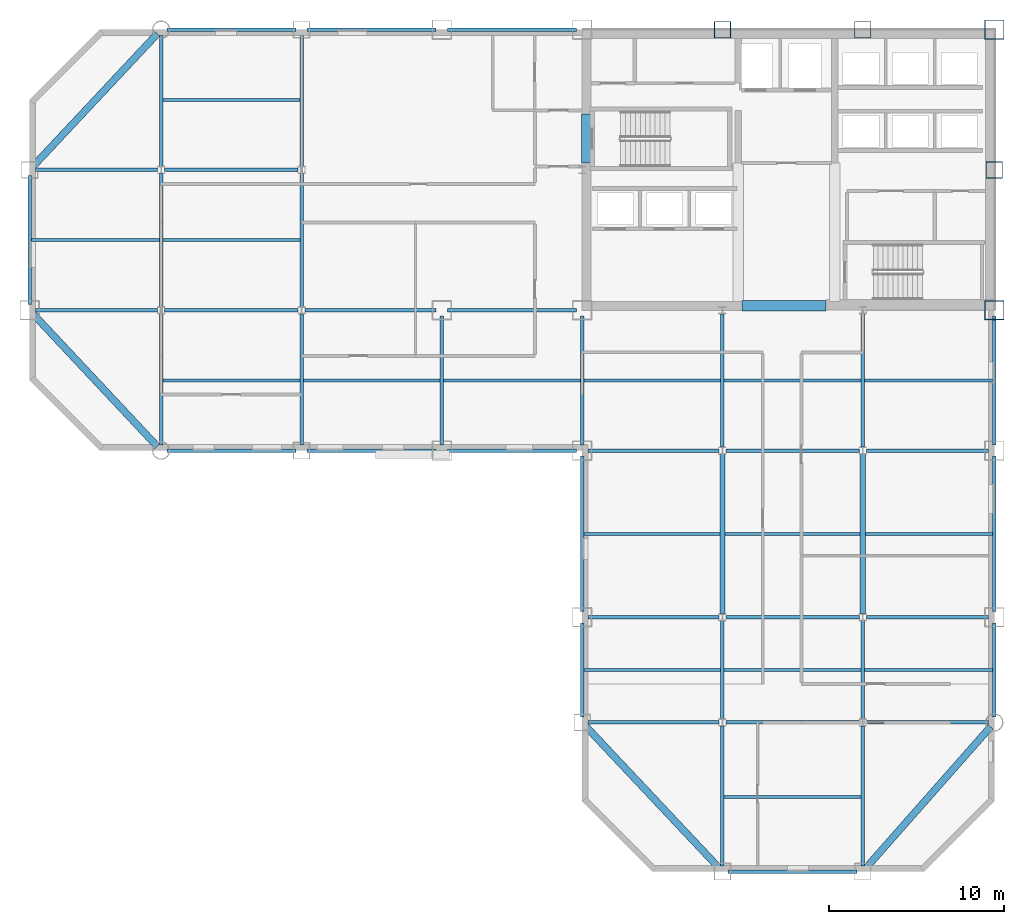
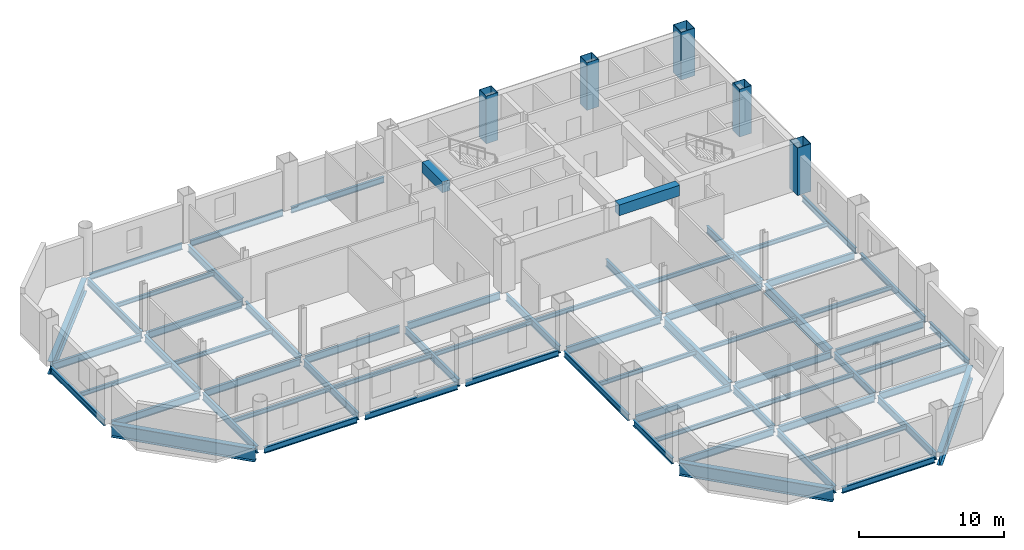
# One storey, part 4 of 9: 66 beams, 5 columns.
"""IFC4 building model written with IfcOpenShell, lengths in metres."""

from ifc_helpers import new_model, si_unit, direction, frame, origin, origin_2d, place, context, subcontext, project, spatial, rectangle, hollow_rectangle, i_section, extrude, material, material_profile, profile_set, type_object, element, save


model = new_model("IFC4")

# Units and contexts
model_context = context("Model", 3, precision=1e-05, world=origin(), true_north=direction((0.0, 1.0)))
body_context = subcontext(model_context, "Body", "Model", "MODEL_VIEW")
ifc_project = project(units=[si_unit("LENGTHUNIT", "METRE"), si_unit("AREAUNIT", "SQUARE_METRE"), si_unit("VOLUMEUNIT", "CUBIC_METRE"), si_unit("PLANEANGLEUNIT", "RADIAN"), si_unit("MASSUNIT", "GRAM", prefix="KILO")], contexts=[model_context])

# Site, building, storey
site_placement = place(None, origin())
site = spatial("IfcSite", under=ifc_project, at=site_placement, CompositionType="ELEMENT")
building_placement = place(site_placement, origin())
building = spatial("IfcBuilding", under=site, at=building_placement, Name="Qianrong Seaharbour Tower", CompositionType="ELEMENT")
storey_placement = place(building_placement, frame((0.0, 0.0, 147.0)))
storey = spatial("IfcBuildingStorey", under=building, at=storey_placement, Name="L35", CompositionType="ELEMENT", Elevation=147.0)

# Columns
ifc_material_1 = material(Name="Structural steel SN490B", Category="steel")
ifc_material_profile_1 = material_profile(ifc_material_1, hollow_rectangle(XDim=1.10009765625, YDim=1.10009765625, WallThickness=0.0400390625, at=origin_2d()), Name="BOX1100x1100x40")
ifc_profile_set_1 = profile_set([ifc_material_profile_1], Name="Structural steel SN490B")
column_type_1 = type_object("IfcColumnType", Name="COL-CFT-1100", PredefinedType="COLUMN", material=ifc_profile_set_1)
for number, where, z_axis, x_axis, name in (
    (1, (64.0, 36.0, 0.0), (0.0, 0.0, 1.0), (1.0, 0.0, 0.0), "L35 Column MC-3 at G9/GF"),
    (2, (64.0, 52.0, 0.0), (0.0, 0.0, 1.0), (1.0, 0.0, 0.0), "L35 Column MC-3 at G9/GH"),
):
    element("IfcColumn", number, at=place(storey_placement, frame(where, z_axis=z_axis, x_axis=x_axis)), inside=storey, type_object=column_type_1, Name=name, PredefinedType="COLUMN", context=body_context, shape_type="SweptSolid", body=[
        extrude(hollow_rectangle(XDim=1.10009765625, YDim=1.10009765625, WallThickness=0.0400390625, at=origin_2d()), origin(), (0.0, 0.0, 1.0), 4.0),
    ])
ifc_material_profile_2 = material_profile(ifc_material_1, hollow_rectangle(XDim=0.949951171875, YDim=0.949951171875, WallThickness=0.035888671875, at=origin_2d()), Name="BOX950x950x36")
ifc_profile_set_2 = profile_set([ifc_material_profile_2], Name="Structural steel SN490B")
column_type_2 = type_object("IfcColumnType", Name="COL-PER-950", PredefinedType="COLUMN", material=ifc_profile_set_2)
for number, where, z_axis, x_axis, name in (
    (3, (48.5, 52.0, 0.0), (0.0, 0.0, 1.0), (1.0, 0.0, 0.0), "L35 Column PC-2 at G7/GH"),
    (4, (56.5, 52.0, 0.0), (0.0, 0.0, 1.0), (1.0, 0.0, 0.0), "L35 Column PC-2 at G8/GH"),
    (5, (64.0, 44.0, 0.0), (0.0, 0.0, 1.0), (1.0, 0.0, 0.0), "L35 Column PC-2 at G9/GG"),
):
    element("IfcColumn", number, at=place(storey_placement, frame(where, z_axis=z_axis, x_axis=x_axis)), inside=storey, type_object=column_type_2, Name=name, PredefinedType="COLUMN", context=body_context, shape_type="SweptSolid", body=[
        extrude(hollow_rectangle(XDim=0.949951171875, YDim=0.949951171875, WallThickness=0.035888671875, at=origin_2d()), origin(), (0.0, 0.0, 1.0), 4.0),
    ])

# Beams
ifc_material_profile_3 = material_profile(ifc_material_1, i_section(OverallWidth=0.199951171875, OverallDepth=0.60009765625, WebThickness=0.010986328125, FlangeThickness=0.01708984375, FilletRadius=0.02197265625, at=origin_2d()), Name="H600x200x11x17")
ifc_profile_set_3 = profile_set([ifc_material_profile_3], Name="Structural steel SN490B")
beam_type_1 = type_object("IfcBeamType", Name="BM-G-600", PredefinedType="BEAM", material=ifc_profile_set_3)
beam_1_placement = place(storey_placement, frame((40.820068359375, 12.5, -0.534912109375), z_axis=(1.0, 0.0, 0.0), x_axis=(0.0, 1.0, 0.0)))
element("IfcBeam", 6, at=beam_1_placement, inside=storey, type_object=beam_type_1, Name="L35 Primary Girder GC G6-G7", PredefinedType="BEAM", context=body_context, shape_type="SweptSolid", body=[
    extrude(i_section(OverallWidth=0.199951171875, OverallDepth=0.60009765625, WebThickness=0.010986328125, FlangeThickness=0.01708984375, FilletRadius=0.02197265625, at=origin_2d()), origin(), (0.0, 0.0, 1.0), 7.47998046875),
])
beam_2_placement = place(storey_placement, frame((48.699951171875, 12.5, -0.534912109375), z_axis=(1.0, 0.0, 0.0), x_axis=(0.0, 1.0, 0.0)))
element("IfcBeam", 7, at=beam_2_placement, inside=storey, type_object=beam_type_1, Name="L35 Primary Girder GC G7-G8", PredefinedType="BEAM", context=body_context, shape_type="SweptSolid", body=[
    extrude(i_section(OverallWidth=0.199951171875, OverallDepth=0.60009765625, WebThickness=0.010986328125, FlangeThickness=0.01708984375, FilletRadius=0.02197265625, at=origin_2d()), origin(), (0.0, 0.0, 1.0), 7.60009765625),
])
beam_3_placement = place(storey_placement, frame((56.699951171875, 12.5, -0.534912109375), z_axis=(1.0, 0.0, 0.0), x_axis=(0.0, 1.0, 0.0)))
element("IfcBeam", 8, at=beam_3_placement, inside=storey, type_object=beam_type_1, Name="L35 Primary Girder GC G8-G9", PredefinedType="BEAM", context=body_context, shape_type="SweptSolid", body=[
    extrude(i_section(OverallWidth=0.199951171875, OverallDepth=0.60009765625, WebThickness=0.010986328125, FlangeThickness=0.01708984375, FilletRadius=0.02197265625, at=origin_2d()), origin(), (0.0, 0.0, 1.0), 6.97998046875),
])
beam_4_placement = place(storey_placement, frame((40.820068359375, 18.5, -0.534912109375), z_axis=(1.0, 0.0, 0.0), x_axis=(0.0, 1.0, 0.0)))
element("IfcBeam", 9, at=beam_4_placement, inside=storey, type_object=beam_type_1, Name="L35 Primary Girder GD G6-G7", PredefinedType="BEAM", context=body_context, shape_type="SweptSolid", body=[
    extrude(i_section(OverallWidth=0.199951171875, OverallDepth=0.60009765625, WebThickness=0.010986328125, FlangeThickness=0.01708984375, FilletRadius=0.02197265625, at=origin_2d()), origin(), (0.0, 0.0, 1.0), 7.47998046875),
])
beam_5_placement = place(storey_placement, frame((48.699951171875, 18.5, -0.534912109375), z_axis=(1.0, 0.0, 0.0), x_axis=(0.0, 1.0, 0.0)))
element("IfcBeam", 10, at=beam_5_placement, inside=storey, type_object=beam_type_1, Name="L35 Primary Girder GD G7-G8", PredefinedType="BEAM", context=body_context, shape_type="SweptSolid", body=[
    extrude(i_section(OverallWidth=0.199951171875, OverallDepth=0.60009765625, WebThickness=0.010986328125, FlangeThickness=0.01708984375, FilletRadius=0.02197265625, at=origin_2d()), origin(), (0.0, 0.0, 1.0), 7.60009765625),
])
beam_6_placement = place(storey_placement, frame((56.699951171875, 18.5, -0.534912109375), z_axis=(1.0, 0.0, 0.0), x_axis=(0.0, 1.0, 0.0)))
element("IfcBeam", 11, at=beam_6_placement, inside=storey, type_object=beam_type_1, Name="L35 Primary Girder GD G8-G9", PredefinedType="BEAM", context=body_context, shape_type="SweptSolid", body=[
    extrude(i_section(OverallWidth=0.199951171875, OverallDepth=0.60009765625, WebThickness=0.010986328125, FlangeThickness=0.01708984375, FilletRadius=0.02197265625, at=origin_2d()), origin(), (0.0, 0.0, 1.0), 6.97998046875),
])
beam_7_placement = place(storey_placement, frame((40.820068359375, 28.0, -0.534912109375), z_axis=(1.0, 0.0, 0.0), x_axis=(0.0, 1.0, 0.0)))
element("IfcBeam", 12, at=beam_7_placement, inside=storey, type_object=beam_type_1, Name="L35 Primary Girder GE G6-G7", PredefinedType="BEAM", context=body_context, shape_type="SweptSolid", body=[
    extrude(i_section(OverallWidth=0.199951171875, OverallDepth=0.60009765625, WebThickness=0.010986328125, FlangeThickness=0.01708984375, FilletRadius=0.02197265625, at=origin_2d()), origin(), (0.0, 0.0, 1.0), 7.47998046875),
])
beam_8_placement = place(storey_placement, frame((48.699951171875, 28.0, -0.534912109375), z_axis=(1.0, 0.0, 0.0), x_axis=(0.0, 1.0, 0.0)))
element("IfcBeam", 13, at=beam_8_placement, inside=storey, type_object=beam_type_1, Name="L35 Primary Girder GE G7-G8", PredefinedType="BEAM", context=body_context, shape_type="SweptSolid", body=[
    extrude(i_section(OverallWidth=0.199951171875, OverallDepth=0.60009765625, WebThickness=0.010986328125, FlangeThickness=0.01708984375, FilletRadius=0.02197265625, at=origin_2d()), origin(), (0.0, 0.0, 1.0), 7.60009765625),
])
for number, where, z_axis, x_axis, name in (
    (14, (56.699951171875, 28.0, -0.534912109375), (1.0, 0.0, 0.0), (0.0, 1.0, 0.0), "L35 Primary Girder GE G8-G9"),
    (15, (9.320068359375, 36.0, -0.534912109375), (1.0, 0.0, 0.0), (0.0, 1.0, 0.0), "L35 Primary Girder GF G2-G3"),
):
    element("IfcBeam", number, at=place(storey_placement, frame(where, z_axis=z_axis, x_axis=x_axis)), inside=storey, type_object=beam_type_1, Name=name, PredefinedType="BEAM", context=body_context, shape_type="SweptSolid", body=[
        extrude(i_section(OverallWidth=0.199951171875, OverallDepth=0.60009765625, WebThickness=0.010986328125, FlangeThickness=0.01708984375, FilletRadius=0.02197265625, at=origin_2d()), origin(), (0.0, 0.0, 1.0), 6.97998046875),
    ])
beam_9_placement = place(storey_placement, frame((16.699951171875, 36.0, -0.534912109375), z_axis=(1.0, 0.0, 0.0), x_axis=(0.0, 1.0, 0.0)))
element("IfcBeam", 16, at=beam_9_placement, inside=storey, type_object=beam_type_1, Name="L35 Primary Girder GF G3-G4", PredefinedType="BEAM", context=body_context, shape_type="SweptSolid", body=[
    extrude(i_section(OverallWidth=0.199951171875, OverallDepth=0.60009765625, WebThickness=0.010986328125, FlangeThickness=0.01708984375, FilletRadius=0.02197265625, at=origin_2d()), origin(), (0.0, 0.0, 1.0), 7.60009765625),
])
beam_10_placement = place(storey_placement, frame((24.699951171875, 36.0, -0.534912109375), z_axis=(1.0, 0.0, 0.0), x_axis=(0.0, 1.0, 0.0)))
element("IfcBeam", 17, at=beam_10_placement, inside=storey, type_object=beam_type_1, Name="L35 Primary Girder GF G4-G5", PredefinedType="BEAM", context=body_context, shape_type="SweptSolid", body=[
    extrude(i_section(OverallWidth=0.199951171875, OverallDepth=0.60009765625, WebThickness=0.010986328125, FlangeThickness=0.01708984375, FilletRadius=0.02197265625, at=origin_2d()), origin(), (0.0, 0.0, 1.0), 7.47998046875),
])
beam_11_placement = place(storey_placement, frame((32.820068359375, 36.0, -0.534912109375), z_axis=(1.0, 0.0, 0.0), x_axis=(0.0, 1.0, 0.0)))
element("IfcBeam", 18, at=beam_11_placement, inside=storey, type_object=beam_type_1, Name="L35 Primary Girder GF G5-G6", PredefinedType="BEAM", context=body_context, shape_type="SweptSolid", body=[
    extrude(i_section(OverallWidth=0.199951171875, OverallDepth=0.60009765625, WebThickness=0.010986328125, FlangeThickness=0.01708984375, FilletRadius=0.02197265625, at=origin_2d()), origin(), (0.0, 0.0, 1.0), 7.35986328125),
])
beam_12_placement = place(storey_placement, frame((9.320068359375, 44.0, -0.534912109375), z_axis=(1.0, 0.0, 0.0), x_axis=(0.0, 1.0, 0.0)))
element("IfcBeam", 19, at=beam_12_placement, inside=storey, type_object=beam_type_1, Name="L35 Primary Girder GG G2-G3", PredefinedType="BEAM", context=body_context, shape_type="SweptSolid", body=[
    extrude(i_section(OverallWidth=0.199951171875, OverallDepth=0.60009765625, WebThickness=0.010986328125, FlangeThickness=0.01708984375, FilletRadius=0.02197265625, at=origin_2d()), origin(), (0.0, 0.0, 1.0), 6.97998046875),
])
beam_13_placement = place(storey_placement, frame((16.699951171875, 44.0, -0.534912109375), z_axis=(1.0, 0.0, 0.0), x_axis=(0.0, 1.0, 0.0)))
element("IfcBeam", 20, at=beam_13_placement, inside=storey, type_object=beam_type_1, Name="L35 Primary Girder GG G3-G4", PredefinedType="BEAM", context=body_context, shape_type="SweptSolid", body=[
    extrude(i_section(OverallWidth=0.199951171875, OverallDepth=0.60009765625, WebThickness=0.010986328125, FlangeThickness=0.01708984375, FilletRadius=0.02197265625, at=origin_2d()), origin(), (0.0, 0.0, 1.0), 7.60009765625),
])
beam_14_placement = place(storey_placement, frame((16.5, 28.320068359375, -0.534912109375), z_axis=(0.0, 1.0, 0.0), x_axis=(-1.0, 0.0, 0.0)))
element("IfcBeam", 21, at=beam_14_placement, inside=storey, type_object=beam_type_1, Name="L35 Primary Girder G3 GE-GF", PredefinedType="BEAM", context=body_context, shape_type="SweptSolid", body=[
    extrude(i_section(OverallWidth=0.199951171875, OverallDepth=0.60009765625, WebThickness=0.010986328125, FlangeThickness=0.01708984375, FilletRadius=0.02197265625, at=origin_2d()), origin(), (0.0, 0.0, 1.0), 7.47998046875),
])
beam_15_placement = place(storey_placement, frame((16.5, 36.199951171875, -0.534912109375), z_axis=(0.0, 1.0, 0.0), x_axis=(-1.0, 0.0, 0.0)))
element("IfcBeam", 22, at=beam_15_placement, inside=storey, type_object=beam_type_1, Name="L35 Primary Girder G3 GF-GG", PredefinedType="BEAM", context=body_context, shape_type="SweptSolid", body=[
    extrude(i_section(OverallWidth=0.199951171875, OverallDepth=0.60009765625, WebThickness=0.010986328125, FlangeThickness=0.01708984375, FilletRadius=0.02197265625, at=origin_2d()), origin(), (0.0, 0.0, 1.0), 7.60009765625),
])
for number, where, z_axis, x_axis, name in (
    (23, (16.5, 44.199951171875, -0.534912109375), (0.0, 1.0, 0.0), (-1.0, 0.0, 0.0), "L35 Primary Girder G3 GG-GH"),
    (24, (24.5, 28.320068359375, -0.534912109375), (0.0, 1.0, 0.0), (-1.0, 0.0, 0.0), "L35 Primary Girder G4 GE-GF"),
):
    element("IfcBeam", number, at=place(storey_placement, frame(where, z_axis=z_axis, x_axis=x_axis)), inside=storey, type_object=beam_type_1, Name=name, PredefinedType="BEAM", context=body_context, shape_type="SweptSolid", body=[
        extrude(i_section(OverallWidth=0.199951171875, OverallDepth=0.60009765625, WebThickness=0.010986328125, FlangeThickness=0.01708984375, FilletRadius=0.02197265625, at=origin_2d()), origin(), (0.0, 0.0, 1.0), 7.47998046875),
    ])
beam_16_placement = place(storey_placement, frame((24.5, 36.199951171875, -0.534912109375), z_axis=(0.0, 1.0, 0.0), x_axis=(-1.0, 0.0, 0.0)))
element("IfcBeam", 25, at=beam_16_placement, inside=storey, type_object=beam_type_1, Name="L35 Primary Girder G4 GF-GG", PredefinedType="BEAM", context=body_context, shape_type="SweptSolid", body=[
    extrude(i_section(OverallWidth=0.199951171875, OverallDepth=0.60009765625, WebThickness=0.010986328125, FlangeThickness=0.01708984375, FilletRadius=0.02197265625, at=origin_2d()), origin(), (0.0, 0.0, 1.0), 7.60009765625),
])
beam_17_placement = place(storey_placement, frame((24.5, 44.199951171875, -0.534912109375), z_axis=(0.0, 1.0, 0.0), x_axis=(-1.0, 0.0, 0.0)))
element("IfcBeam", 26, at=beam_17_placement, inside=storey, type_object=beam_type_1, Name="L35 Primary Girder G4 GG-GH", PredefinedType="BEAM", context=body_context, shape_type="SweptSolid", body=[
    extrude(i_section(OverallWidth=0.199951171875, OverallDepth=0.60009765625, WebThickness=0.010986328125, FlangeThickness=0.01708984375, FilletRadius=0.02197265625, at=origin_2d()), origin(), (0.0, 0.0, 1.0), 7.47998046875),
])
for number, where, z_axis, x_axis, name in (
    (27, (32.5, 28.320068359375, -0.534912109375), (0.0, 1.0, 0.0), (-1.0, 0.0, 0.0), "L35 Primary Girder G5 GE-GF"),
    (28, (40.5, 28.320068359375, -0.534912109375), (0.0, 1.0, 0.0), (-1.0, 0.0, 0.0), "L35 Primary Girder G6 GE-GF"),
):
    element("IfcBeam", number, at=place(storey_placement, frame(where, z_axis=z_axis, x_axis=x_axis)), inside=storey, type_object=beam_type_1, Name=name, PredefinedType="BEAM", context=body_context, shape_type="SweptSolid", body=[
        extrude(i_section(OverallWidth=0.199951171875, OverallDepth=0.60009765625, WebThickness=0.010986328125, FlangeThickness=0.01708984375, FilletRadius=0.02197265625, at=origin_2d()), origin(), (0.0, 0.0, 1.0), 7.35986328125),
    ])
beam_18_placement = place(storey_placement, frame((48.5, 4.320068359375, -0.534912109375), z_axis=(0.0, 1.0, 0.0), x_axis=(-1.0, 0.0, 0.0)))
element("IfcBeam", 29, at=beam_18_placement, inside=storey, type_object=beam_type_1, Name="L35 Primary Girder G7 GB-GC", PredefinedType="BEAM", context=body_context, shape_type="SweptSolid", body=[
    extrude(i_section(OverallWidth=0.199951171875, OverallDepth=0.60009765625, WebThickness=0.010986328125, FlangeThickness=0.01708984375, FilletRadius=0.02197265625, at=origin_2d()), origin(), (0.0, 0.0, 1.0), 7.97998046875),
])
beam_19_placement = place(storey_placement, frame((48.5, 12.699951171875, -0.534912109375), z_axis=(0.0, 1.0, 0.0), x_axis=(-1.0, 0.0, 0.0)))
element("IfcBeam", 30, at=beam_19_placement, inside=storey, type_object=beam_type_1, Name="L35 Primary Girder G7 GC-GD", PredefinedType="BEAM", context=body_context, shape_type="SweptSolid", body=[
    extrude(i_section(OverallWidth=0.199951171875, OverallDepth=0.60009765625, WebThickness=0.010986328125, FlangeThickness=0.01708984375, FilletRadius=0.02197265625, at=origin_2d()), origin(), (0.0, 0.0, 1.0), 5.60009765625),
])
beam_20_placement = place(storey_placement, frame((48.5, 28.199951171875, -0.534912109375), z_axis=(0.0, 1.0, 0.0), x_axis=(-1.0, 0.0, 0.0)))
element("IfcBeam", 31, at=beam_20_placement, inside=storey, type_object=beam_type_1, Name="L35 Primary Girder G7 GE-GF", PredefinedType="BEAM", context=body_context, shape_type="SweptSolid", body=[
    extrude(i_section(OverallWidth=0.199951171875, OverallDepth=0.60009765625, WebThickness=0.010986328125, FlangeThickness=0.01708984375, FilletRadius=0.02197265625, at=origin_2d()), origin(), (0.0, 0.0, 1.0), 7.60009765625),
])
beam_21_placement = place(storey_placement, frame((56.5, 4.320068359375, -0.534912109375), z_axis=(0.0, 1.0, 0.0), x_axis=(-1.0, 0.0, 0.0)))
element("IfcBeam", 32, at=beam_21_placement, inside=storey, type_object=beam_type_1, Name="L35 Primary Girder G8 GB-GC", PredefinedType="BEAM", context=body_context, shape_type="SweptSolid", body=[
    extrude(i_section(OverallWidth=0.199951171875, OverallDepth=0.60009765625, WebThickness=0.010986328125, FlangeThickness=0.01708984375, FilletRadius=0.02197265625, at=origin_2d()), origin(), (0.0, 0.0, 1.0), 7.97998046875),
])
beam_22_placement = place(storey_placement, frame((56.5, 12.699951171875, -0.534912109375), z_axis=(0.0, 1.0, 0.0), x_axis=(-1.0, 0.0, 0.0)))
element("IfcBeam", 33, at=beam_22_placement, inside=storey, type_object=beam_type_1, Name="L35 Primary Girder G8 GC-GD", PredefinedType="BEAM", context=body_context, shape_type="SweptSolid", body=[
    extrude(i_section(OverallWidth=0.199951171875, OverallDepth=0.60009765625, WebThickness=0.010986328125, FlangeThickness=0.01708984375, FilletRadius=0.02197265625, at=origin_2d()), origin(), (0.0, 0.0, 1.0), 5.60009765625),
])
beam_23_placement = place(storey_placement, frame((56.5, 28.199951171875, -0.534912109375), z_axis=(0.0, 1.0, 0.0), x_axis=(-1.0, 0.0, 0.0)))
element("IfcBeam", 34, at=beam_23_placement, inside=storey, type_object=beam_type_1, Name="L35 Primary Girder G8 GE-GF", PredefinedType="BEAM", context=body_context, shape_type="SweptSolid", body=[
    extrude(i_section(OverallWidth=0.199951171875, OverallDepth=0.60009765625, WebThickness=0.010986328125, FlangeThickness=0.01708984375, FilletRadius=0.02197265625, at=origin_2d()), origin(), (0.0, 0.0, 1.0), 7.60009765625),
])
ifc_material_profile_4 = material_profile(ifc_material_1, i_section(OverallWidth=0.300048828125, OverallDepth=0.800048828125, WebThickness=0.013916015625, FlangeThickness=0.02587890625, FilletRadius=0.028076171875, at=origin_2d()), Name="H800x300x14x26")
ifc_profile_set_4 = profile_set([ifc_material_profile_4], Name="Structural steel SN490B")
beam_type_2 = type_object("IfcBeamType", Name="BM-G-800", PredefinedType="BEAM", material=ifc_profile_set_4)
for number, where, z_axis, x_axis, name in (
    (35, (48.5, 18.699951171875, -0.635009765625), (0.0, 1.0, 0.0), (-1.0, 0.0, 0.0), "L35 Primary Girder G7 GD-GE"),
    (36, (56.5, 18.699951171875, -0.635009765625), (0.0, 1.0, 0.0), (-1.0, 0.0, 0.0), "L35 Primary Girder G8 GD-GE"),
):
    element("IfcBeam", number, at=place(storey_placement, frame(where, z_axis=z_axis, x_axis=x_axis)), inside=storey, type_object=beam_type_2, Name=name, PredefinedType="BEAM", context=body_context, shape_type="SweptSolid", body=[
        extrude(i_section(OverallWidth=0.300048828125, OverallDepth=0.800048828125, WebThickness=0.013916015625, FlangeThickness=0.02587890625, FilletRadius=0.028076171875, at=origin_2d()), origin(), (0.0, 0.0, 1.0), 9.10009765625),
    ])
ifc_material_2 = material(Name="Structural steel SN400B", Category="steel")
ifc_material_profile_5 = material_profile(ifc_material_2, i_section(OverallWidth=0.175048828125, OverallDepth=0.35009765625, WebThickness=0.007080078125, FlangeThickness=0.010986328125, FilletRadius=0.013916015625, at=origin_2d()), Name="H350x175x7x11")
ifc_profile_set_5 = profile_set([ifc_material_profile_5], Name="Structural steel SN400B")
beam_type_3 = type_object("IfcBeamType", Name="BM-J-350", PredefinedType="JOIST", material=ifc_profile_set_5)
beam_24_placement = place(storey_placement, frame((9.10009765625, 40.0, -0.409912109375), z_axis=(1.0, 0.0, 0.0), x_axis=(0.0, 1.0, 0.0)))
element("IfcBeam", 37, at=beam_24_placement, inside=storey, type_object=beam_type_3, Name="L35 Composite Floor Joist G2-G3/GF-GG", PredefinedType="JOIST", context=body_context, shape_type="SweptSolid", body=[
    extrude(i_section(OverallWidth=0.175048828125, OverallDepth=0.35009765625, WebThickness=0.007080078125, FlangeThickness=0.010986328125, FilletRadius=0.013916015625, at=origin_2d()), origin(), (0.0, 0.0, 1.0), 7.2998046875),
])
for number, where, z_axis, x_axis, name in (
    (38, (16.60009765625, 32.0, -0.409912109375), (1.0, 0.0, 0.0), (0.0, 1.0, 0.0), "L35 Composite Floor Joist G3-G4/GE-GF"),
    (39, (16.60009765625, 40.0, -0.409912109375), (1.0, 0.0, 0.0), (0.0, 1.0, 0.0), "L35 Composite Floor Joist G3-G4/GF-GG"),
    (40, (16.60009765625, 48.0, -0.409912109375), (1.0, 0.0, 0.0), (0.0, 1.0, 0.0), "L35 Composite Floor Joist G3-G4/GG-GH"),
    (41, (24.60009765625, 32.0, -0.409912109375), (1.0, 0.0, 0.0), (0.0, 1.0, 0.0), "L35 Composite Floor Joist G4-G5/GE-GF"),
    (42, (32.60009765625, 32.0, -0.409912109375), (1.0, 0.0, 0.0), (0.0, 1.0, 0.0), "L35 Composite Floor Joist G5-G6/GE-GF"),
    (43, (40.60009765625, 15.5, -0.409912109375), (1.0, 0.0, 0.0), (0.0, 1.0, 0.0), "L35 Composite Floor Joist G6-G7/GC-GD"),
):
    element("IfcBeam", number, at=place(storey_placement, frame(where, z_axis=z_axis, x_axis=x_axis)), inside=storey, type_object=beam_type_3, Name=name, PredefinedType="JOIST", context=body_context, shape_type="SweptSolid", body=[
        extrude(i_section(OverallWidth=0.175048828125, OverallDepth=0.35009765625, WebThickness=0.007080078125, FlangeThickness=0.010986328125, FilletRadius=0.013916015625, at=origin_2d()), origin(), (0.0, 0.0, 1.0), 7.7998046875),
    ])
beam_25_placement = place(storey_placement, frame((40.60009765625, 23.25, -0.409912109375), z_axis=(1.0, 0.0, 0.0), x_axis=(0.0, 1.0, 0.0)))
element("IfcBeam", 44, at=beam_25_placement, inside=storey, type_object=beam_type_3, Name="L35 Composite Floor Joist G6-G7/GD-GE", PredefinedType="JOIST", context=body_context, shape_type="SweptSolid", body=[
    extrude(i_section(OverallWidth=0.175048828125, OverallDepth=0.35009765625, WebThickness=0.007080078125, FlangeThickness=0.010986328125, FilletRadius=0.013916015625, at=origin_2d()), origin(), (0.0, 0.0, 1.0), 7.75),
])
for number, where, z_axis, x_axis, name in (
    (45, (40.60009765625, 32.0, -0.409912109375), (1.0, 0.0, 0.0), (0.0, 1.0, 0.0), "L35 Composite Floor Joist G6-G7/GE-GF"),
    (46, (48.60009765625, 8.25, -0.409912109375), (1.0, 0.0, 0.0), (0.0, 1.0, 0.0), "L35 Composite Floor Joist G7-G8/GB-GC"),
    (47, (48.60009765625, 15.5, -0.409912109375), (1.0, 0.0, 0.0), (0.0, 1.0, 0.0), "L35 Composite Floor Joist G7-G8/GC-GD"),
):
    element("IfcBeam", number, at=place(storey_placement, frame(where, z_axis=z_axis, x_axis=x_axis)), inside=storey, type_object=beam_type_3, Name=name, PredefinedType="JOIST", context=body_context, shape_type="SweptSolid", body=[
        extrude(i_section(OverallWidth=0.175048828125, OverallDepth=0.35009765625, WebThickness=0.007080078125, FlangeThickness=0.010986328125, FilletRadius=0.013916015625, at=origin_2d()), origin(), (0.0, 0.0, 1.0), 7.7998046875),
    ])
beam_26_placement = place(storey_placement, frame((48.64990234375, 23.25, -0.409912109375), z_axis=(1.0, 0.0, 0.0), x_axis=(0.0, 1.0, 0.0)))
element("IfcBeam", 48, at=beam_26_placement, inside=storey, type_object=beam_type_3, Name="L35 Composite Floor Joist G7-G8/GD-GE", PredefinedType="JOIST", context=body_context, shape_type="SweptSolid", body=[
    extrude(i_section(OverallWidth=0.175048828125, OverallDepth=0.35009765625, WebThickness=0.007080078125, FlangeThickness=0.010986328125, FilletRadius=0.013916015625, at=origin_2d()), origin(), (0.0, 0.0, 1.0), 7.7001953125),
])
beam_27_placement = place(storey_placement, frame((48.60009765625, 32.0, -0.409912109375), z_axis=(1.0, 0.0, 0.0), x_axis=(0.0, 1.0, 0.0)))
element("IfcBeam", 49, at=beam_27_placement, inside=storey, type_object=beam_type_3, Name="L35 Composite Floor Joist G7-G8/GE-GF", PredefinedType="JOIST", context=body_context, shape_type="SweptSolid", body=[
    extrude(i_section(OverallWidth=0.175048828125, OverallDepth=0.35009765625, WebThickness=0.007080078125, FlangeThickness=0.010986328125, FilletRadius=0.013916015625, at=origin_2d()), origin(), (0.0, 0.0, 1.0), 7.7998046875),
])
beam_28_placement = place(storey_placement, frame((56.60009765625, 15.5, -0.409912109375), z_axis=(1.0, 0.0, 0.0), x_axis=(0.0, 1.0, 0.0)))
element("IfcBeam", 50, at=beam_28_placement, inside=storey, type_object=beam_type_3, Name="L35 Composite Floor Joist G8-G9/GC-GD", PredefinedType="JOIST", context=body_context, shape_type="SweptSolid", body=[
    extrude(i_section(OverallWidth=0.175048828125, OverallDepth=0.35009765625, WebThickness=0.007080078125, FlangeThickness=0.010986328125, FilletRadius=0.013916015625, at=origin_2d()), origin(), (0.0, 0.0, 1.0), 7.2998046875),
])
beam_29_placement = place(storey_placement, frame((56.64990234375, 23.25, -0.409912109375), z_axis=(1.0, 0.0, 0.0), x_axis=(0.0, 1.0, 0.0)))
element("IfcBeam", 51, at=beam_29_placement, inside=storey, type_object=beam_type_3, Name="L35 Composite Floor Joist G8-G9/GD-GE", PredefinedType="JOIST", context=body_context, shape_type="SweptSolid", body=[
    extrude(i_section(OverallWidth=0.175048828125, OverallDepth=0.35009765625, WebThickness=0.007080078125, FlangeThickness=0.010986328125, FilletRadius=0.013916015625, at=origin_2d()), origin(), (0.0, 0.0, 1.0), 7.25),
])
beam_30_placement = place(storey_placement, frame((56.60009765625, 32.0, -0.409912109375), z_axis=(1.0, 0.0, 0.0), x_axis=(0.0, 1.0, 0.0)))
element("IfcBeam", 52, at=beam_30_placement, inside=storey, type_object=beam_type_3, Name="L35 Composite Floor Joist G8-G9/GE-GF", PredefinedType="JOIST", context=body_context, shape_type="SweptSolid", body=[
    extrude(i_section(OverallWidth=0.175048828125, OverallDepth=0.35009765625, WebThickness=0.007080078125, FlangeThickness=0.010986328125, FilletRadius=0.013916015625, at=origin_2d()), origin(), (0.0, 0.0, 1.0), 7.2998046875),
])
ifc_material_3 = material(Name="Concrete C70/85", Category="concrete")
ifc_material_profile_6 = material_profile(ifc_material_3, rectangle(XDim=0.60009765625, YDim=0.89990234375, at=origin_2d()), Name="RC600x900")
ifc_profile_set_6 = profile_set([ifc_material_profile_6], Name="Concrete C70/85")
beam_type_4 = type_object("IfcBeamType", Name="BM-LINTEL-900", PredefinedType="LINTEL", material=ifc_profile_set_6)
beam_31_placement = place(storey_placement, frame((40.75, 44.39990234375, 3.31494140625), z_axis=(0.0, 1.0, 0.0), x_axis=(-1.0, 0.0, 0.0)))
element("IfcBeam", 53, at=beam_31_placement, inside=storey, type_object=beam_type_4, Name="L35 Core Coupling Lintel Beam West", PredefinedType="LINTEL", context=body_context, shape_type="SweptSolid", body=[
    extrude(rectangle(XDim=0.60009765625, YDim=0.89990234375, at=origin_2d()), origin(), (0.0, 0.0, 1.0), 2.800048828125),
])
beam_32_placement = place(storey_placement, frame((49.60009765625, 36.25, 3.31494140625), z_axis=(1.0, 0.0, 0.0), x_axis=(0.0, 1.0, 0.0)))
element("IfcBeam", 54, at=beam_32_placement, inside=storey, type_object=beam_type_4, Name="L35 Core Coupling Lintel Beam CBC", PredefinedType="LINTEL", context=body_context, shape_type="SweptSolid", body=[
    extrude(rectangle(XDim=0.60009765625, YDim=0.89990234375, at=origin_2d()), origin(), (0.0, 0.0, 1.0), 4.7998046875),
])
ifc_material_profile_7 = material_profile(ifc_material_1, i_section(OverallWidth=0.199951171875, OverallDepth=0.5, WebThickness=0.010009765625, FlangeThickness=0.01611328125, FilletRadius=0.02001953125, at=origin_2d()), Name="H500x200x10x16")
ifc_profile_set_7 = profile_set([ifc_material_profile_7], Name="Structural steel SN490B")
beam_type_5 = type_object("IfcBeamType", Name="BM-SP-500", PredefinedType="SPANDREL", material=ifc_profile_set_7)
for number, where, z_axis, x_axis, name in (
    (55, (48.820068359375, 4.0, -0.485107421875), (1.0, 0.0, 0.0), (0.0, 1.0, 0.0), "L35 Spandrel Girder GB G7-G8"),
    (56, (16.820068359375, 28.0, -0.485107421875), (1.0, 0.0, 0.0), (0.0, 1.0, 0.0), "L35 Spandrel Girder GE G3-G4"),
    (57, (24.820068359375, 28.0, -0.485107421875), (1.0, 0.0, 0.0), (0.0, 1.0, 0.0), "L35 Spandrel Girder GE G4-G5"),
    (58, (32.820068359375, 28.0, -0.485107421875), (1.0, 0.0, 0.0), (0.0, 1.0, 0.0), "L35 Spandrel Girder GE G5-G6"),
    (59, (16.820068359375, 52.0, -0.485107421875), (1.0, 0.0, 0.0), (0.0, 1.0, 0.0), "L35 Spandrel Girder GH G3-G4"),
    (60, (24.820068359375, 52.0, -0.485107421875), (1.0, 0.0, 0.0), (0.0, 1.0, 0.0), "L35 Spandrel Girder GH G4-G5"),
    (61, (32.820068359375, 52.0, -0.485107421875), (1.0, 0.0, 0.0), (0.0, 1.0, 0.0), "L35 Spandrel Girder GH G5-G6"),
    (62, (9.0, 36.320068359375, -0.485107421875), (0.0, 1.0, 0.0), (-1.0, 0.0, 0.0), "L35 Spandrel Girder G2 GF-GG"),
):
    element("IfcBeam", number, at=place(storey_placement, frame(where, z_axis=z_axis, x_axis=x_axis)), inside=storey, type_object=beam_type_5, Name=name, PredefinedType="SPANDREL", context=body_context, shape_type="SweptSolid", body=[
        extrude(i_section(OverallWidth=0.199951171875, OverallDepth=0.5, WebThickness=0.010009765625, FlangeThickness=0.01611328125, FilletRadius=0.02001953125, at=origin_2d()), origin(), (0.0, 0.0, 1.0), 7.35986328125),
    ])
beam_33_placement = place(storey_placement, frame((40.5, 12.820068359375, -0.485107421875), z_axis=(0.0, 1.0, 0.0), x_axis=(-1.0, 0.0, 0.0)))
element("IfcBeam", 63, at=beam_33_placement, inside=storey, type_object=beam_type_5, Name="L35 Spandrel Girder G6 GC-GD", PredefinedType="SPANDREL", context=body_context, shape_type="SweptSolid", body=[
    extrude(i_section(OverallWidth=0.199951171875, OverallDepth=0.5, WebThickness=0.010009765625, FlangeThickness=0.01611328125, FilletRadius=0.02001953125, at=origin_2d()), origin(), (0.0, 0.0, 1.0), 5.35986328125),
])
beam_34_placement = place(storey_placement, frame((40.5, 18.820068359375, -0.485107421875), z_axis=(0.0, 1.0, 0.0), x_axis=(-1.0, 0.0, 0.0)))
element("IfcBeam", 64, at=beam_34_placement, inside=storey, type_object=beam_type_5, Name="L35 Spandrel Girder G6 GD-GE", PredefinedType="SPANDREL", context=body_context, shape_type="SweptSolid", body=[
    extrude(i_section(OverallWidth=0.199951171875, OverallDepth=0.5, WebThickness=0.010009765625, FlangeThickness=0.01611328125, FilletRadius=0.02001953125, at=origin_2d()), origin(), (0.0, 0.0, 1.0), 8.85986328125),
])
beam_35_placement = place(storey_placement, frame((64.0, 12.820068359375, -0.485107421875), z_axis=(0.0, 1.0, 0.0), x_axis=(-1.0, 0.0, 0.0)))
element("IfcBeam", 65, at=beam_35_placement, inside=storey, type_object=beam_type_5, Name="L35 Spandrel Girder G9 GC-GD", PredefinedType="SPANDREL", context=body_context, shape_type="SweptSolid", body=[
    extrude(i_section(OverallWidth=0.199951171875, OverallDepth=0.5, WebThickness=0.010009765625, FlangeThickness=0.01611328125, FilletRadius=0.02001953125, at=origin_2d()), origin(), (0.0, 0.0, 1.0), 5.35986328125),
])
beam_36_placement = place(storey_placement, frame((64.0, 18.820068359375, -0.485107421875), z_axis=(0.0, 1.0, 0.0), x_axis=(-1.0, 0.0, 0.0)))
element("IfcBeam", 66, at=beam_36_placement, inside=storey, type_object=beam_type_5, Name="L35 Spandrel Girder G9 GD-GE", PredefinedType="SPANDREL", context=body_context, shape_type="SweptSolid", body=[
    extrude(i_section(OverallWidth=0.199951171875, OverallDepth=0.5, WebThickness=0.010009765625, FlangeThickness=0.01611328125, FilletRadius=0.02001953125, at=origin_2d()), origin(), (0.0, 0.0, 1.0), 8.85986328125),
])
beam_37_placement = place(storey_placement, frame((64.0, 28.320068359375, -0.485107421875), z_axis=(0.0, 1.0, 0.0), x_axis=(-1.0, 0.0, 0.0)))
element("IfcBeam", 67, at=beam_37_placement, inside=storey, type_object=beam_type_5, Name="L35 Spandrel Girder G9 GE-GF", PredefinedType="SPANDREL", context=body_context, shape_type="SweptSolid", body=[
    extrude(i_section(OverallWidth=0.199951171875, OverallDepth=0.5, WebThickness=0.010009765625, FlangeThickness=0.01611328125, FilletRadius=0.02001953125, at=origin_2d()), origin(), (0.0, 0.0, 1.0), 7.35986328125),
])
ifc_material_profile_8 = material_profile(ifc_material_1, i_section(OverallWidth=0.39990234375, OverallDepth=1.10009765625, WebThickness=0.02001953125, FlangeThickness=0.035888671875, at=origin_2d()), Name="BH1100x400x20x36")
ifc_profile_set_8 = profile_set([ifc_material_profile_8], Name="Structural steel SN490B")
beam_type_6 = type_object("IfcBeamType", Name="BM-TG-1100", PredefinedType="BEAM", material=ifc_profile_set_8)
for number, where, z_axis, x_axis, name in (
    (68, (16.28125, 28.2333984375, -0.784912109375), (-0.683947420573, 0.729531305628, 0.0), (-0.729531305628, -0.683947420573, 0.0), "L35 Chamfer Corner Spandrel Girder G2/GE"),
    (69, (16.28125, 51.7666015625, -0.784912109375), (-0.683947420573, -0.729531305628, 0.0), (0.729531305628, -0.683947420573, 0.0), "L35 Chamfer Corner Spandrel Girder G2/GH"),
):
    element("IfcBeam", number, at=place(storey_placement, frame(where, z_axis=z_axis, x_axis=x_axis)), inside=storey, type_object=beam_type_6, Name=name, PredefinedType="BEAM", context=body_context, shape_type="SweptSolid", body=[
        extrude(i_section(OverallWidth=0.39990234375, OverallDepth=1.10009765625, WebThickness=0.02001953125, FlangeThickness=0.035888671875, at=origin_2d()), origin(), (0.0, 0.0, 1.0), 10.326171875),
    ])
beam_38_placement = place(storey_placement, frame((48.28076171875, 4.23291015625, -0.784912109375), z_axis=(-0.685361938021, 0.728202591256, 0.0), x_axis=(-0.728202591256, -0.685361938021, 0.0)))
element("IfcBeam", 70, at=beam_38_placement, inside=storey, type_object=beam_type_6, Name="L35 Chamfer Corner Spandrel Girder G6/GB", PredefinedType="BEAM", context=body_context, shape_type="SweptSolid", body=[
    extrude(i_section(OverallWidth=0.39990234375, OverallDepth=1.10009765625, WebThickness=0.02001953125, FlangeThickness=0.035888671875, at=origin_2d()), origin(), (0.0, 0.0, 1.0), 11.032958984375),
])
beam_39_placement = place(storey_placement, frame((56.711669921875, 4.239990234375, -0.784912109375), z_axis=(0.661630696334, 0.749829861815, 0.0), x_axis=(-0.749829861815, 0.661630696334, 0.0)))
element("IfcBeam", 71, at=beam_39_placement, inside=storey, type_object=beam_type_6, Name="L35 Chamfer Corner Spandrel Girder G9/GB", PredefinedType="BEAM", context=body_context, shape_type="SweptSolid", body=[
    extrude(i_section(OverallWidth=0.39990234375, OverallDepth=1.10009765625, WebThickness=0.02001953125, FlangeThickness=0.035888671875, at=origin_2d()), origin(), (0.0, 0.0, 1.0), 10.69580078125),
])

save(model, "model.ifc")
